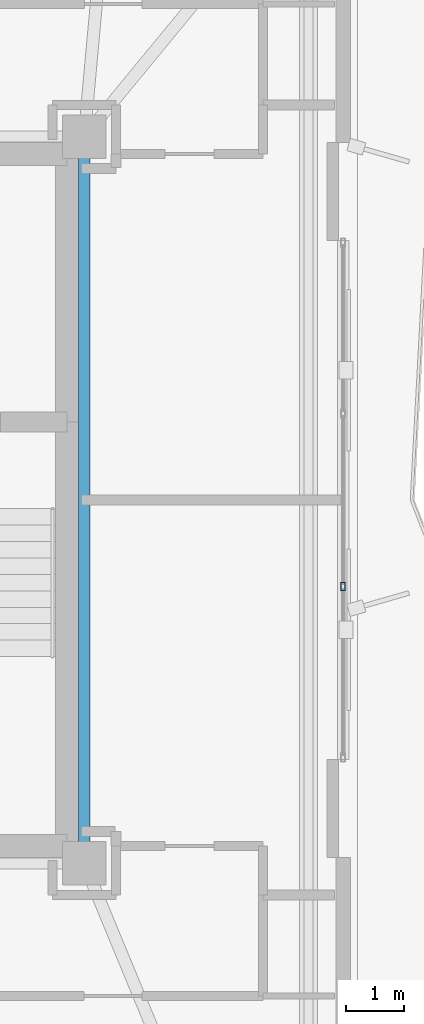
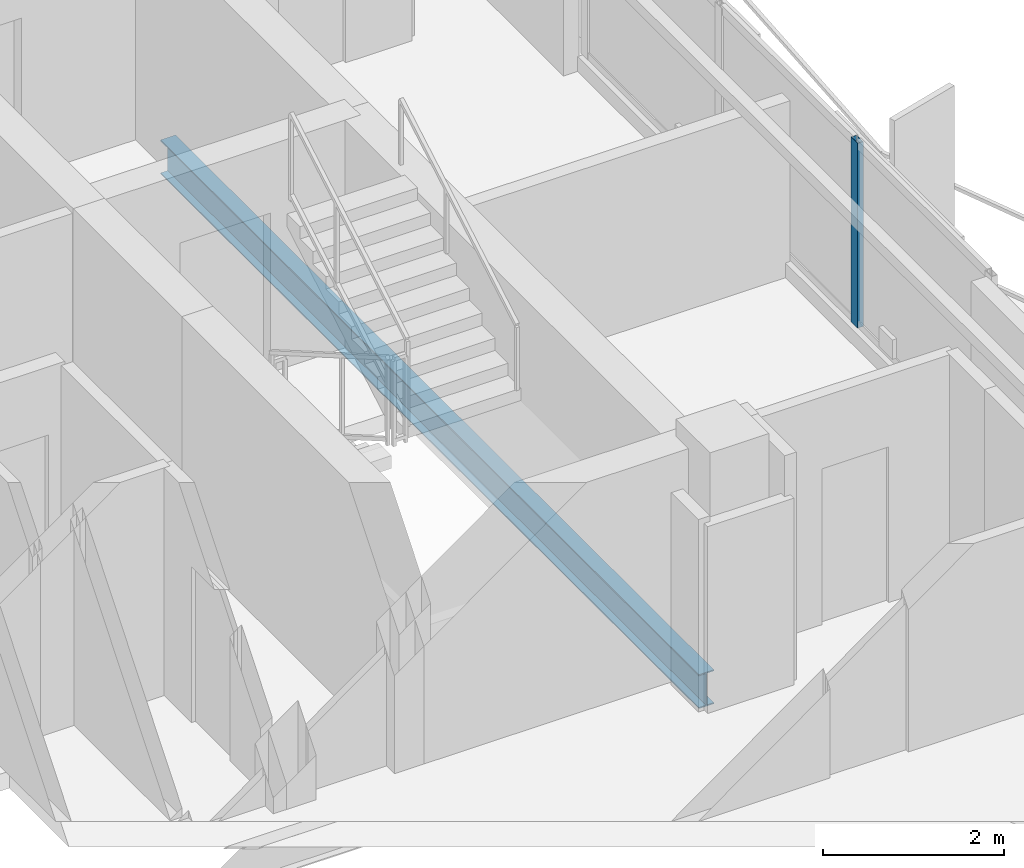
# One storey, part 11 of 22: 1 beam, 1 member, 1 element without a shape of its own.
"""IFC4 building model written with IfcOpenShell, lengths in metres."""

from ifc_helpers import new_model, si_unit, direction, frame, origin, origin_2d, place, context, subcontext, project, spatial, hollow_rectangle, i_section, extrude, material, layer, layer_set, material_profile, profile_set, type_object, element, aggregate, save


model = new_model("IFC4")

# Units and contexts
model_context = context("Model", 3, precision=1e-05, world=origin(), true_north=direction((0.0, 1.0)))
body_context = subcontext(model_context, "Body", "Model", "MODEL_VIEW")
ifc_project = project(units=[si_unit("LENGTHUNIT", "METRE"), si_unit("AREAUNIT", "SQUARE_METRE"), si_unit("VOLUMEUNIT", "CUBIC_METRE"), si_unit("PLANEANGLEUNIT", "RADIAN"), si_unit("MASSUNIT", "GRAM", prefix="KILO")], contexts=[model_context])

# Site, building, storey
site_placement = place(None, origin())
site = spatial("IfcSite", under=ifc_project, at=site_placement, CompositionType="ELEMENT")
building_placement = place(site_placement, origin())
building = spatial("IfcBuilding", under=site, at=building_placement, Name="Mersakhor Tower and Convention Hall", CompositionType="ELEMENT")
storey_placement = place(building_placement, frame((0.0, 0.0, 192.0)))
storey = spatial("IfcBuildingStorey", under=building, at=storey_placement, Name="L53", CompositionType="ELEMENT", Elevation=192.0)

# Beam
ifc_material_1 = material(Name="Steel S355", Category="steel")
ifc_material_profile_1 = material_profile(ifc_material_1, i_section(OverallWidth=0.19140625, OverallDepth=0.4599609375, WebThickness=0.010009765625, FlangeThickness=0.01611328125, at=origin_2d()), Name="UB 457x191x82")
ifc_profile_set_1 = profile_set([ifc_material_profile_1], Name="Steel S355")
beam_type = type_object("IfcBeamType", Name="BM-FB-457", PredefinedType="BEAM", material=ifc_profile_set_1)
beam_placement = place(storey_placement, frame((36.10009765625, 32.695068359375, -0.4599609375), z_axis=(0.0, -1.0, 0.0), x_axis=(1.0, 0.0, 0.0)))
element("IfcBeam", 1, at=beam_placement, inside=storey, type_object=beam_type, Name="L53 Core Ring Tie Beam CRB-3", PredefinedType="BEAM", context=body_context, shape_type="SweptSolid", body=[
    extrude(i_section(OverallWidth=0.19140625, OverallDepth=0.4599609375, WebThickness=0.010009765625, FlangeThickness=0.01611328125, at=origin_2d()), origin(), (0.0, 0.0, 1.0), 11.89013671875),
])

# Curtain wall, member
ifc_material_2 = material(Name="Dark solar low-E aluminium curtain wall", Category="aluminium")
ifc_layer = layer(ifc_material_2, 0.169921875)
ifc_layer_set = layer_set([ifc_layer], Name="Dark solar low-E aluminium curtain wall")
curtain_wall_type = type_object("IfcCurtainWallType", Name="CW-SYS-02", PredefinedType="USERDEFINED", material=ifc_layer_set)
curtain_wall_placement = place(storey_placement, origin())
curtain_wall = element("IfcCurtainWall", 2, at=curtain_wall_placement, inside=storey, type_object=curtain_wall_type, Name="L53 Dark-Glass Curtain Wall F2-B2", ObjectType="CURTAIN WALL", PredefinedType="USERDEFINED")
ifc_material_3 = material(Name="Anodised aluminium EN AW-6063 T6", Category="aluminium")
ifc_material_profile_2 = material_profile(ifc_material_3, hollow_rectangle(XDim=0.074951171875, YDim=0.14990234375, WallThickness=0.00634765625, at=origin_2d()), Name="RHS 150x75x6.3")
ifc_profile_set_2 = profile_set([ifc_material_profile_2], Name="Anodised aluminium EN AW-6063 T6")
member_type = type_object("IfcMemberType", Name="CWM-150x75", PredefinedType="MULLION", material=ifc_profile_set_2)
member_placement = place(storey_placement, frame((40.58837890625, 25.250244140625, 0.199951171875), z_axis=(0.0, 0.0, 1.0), x_axis=(1.0, 0.0, 0.0)))
member = element("IfcMember", 3, at=member_placement, type_object=member_type, Name="CW-02 mullion 3", PredefinedType="MULLION", context=body_context, shape_type="SweptSolid", body=[
    extrude(hollow_rectangle(XDim=0.074951171875, YDim=0.14990234375, WallThickness=0.00634765625, at=origin_2d()), origin(), (0.0, 0.0, 1.0), 2.489990234375),
])
aggregate(curtain_wall, [member])

save(model, "model.ifc")
